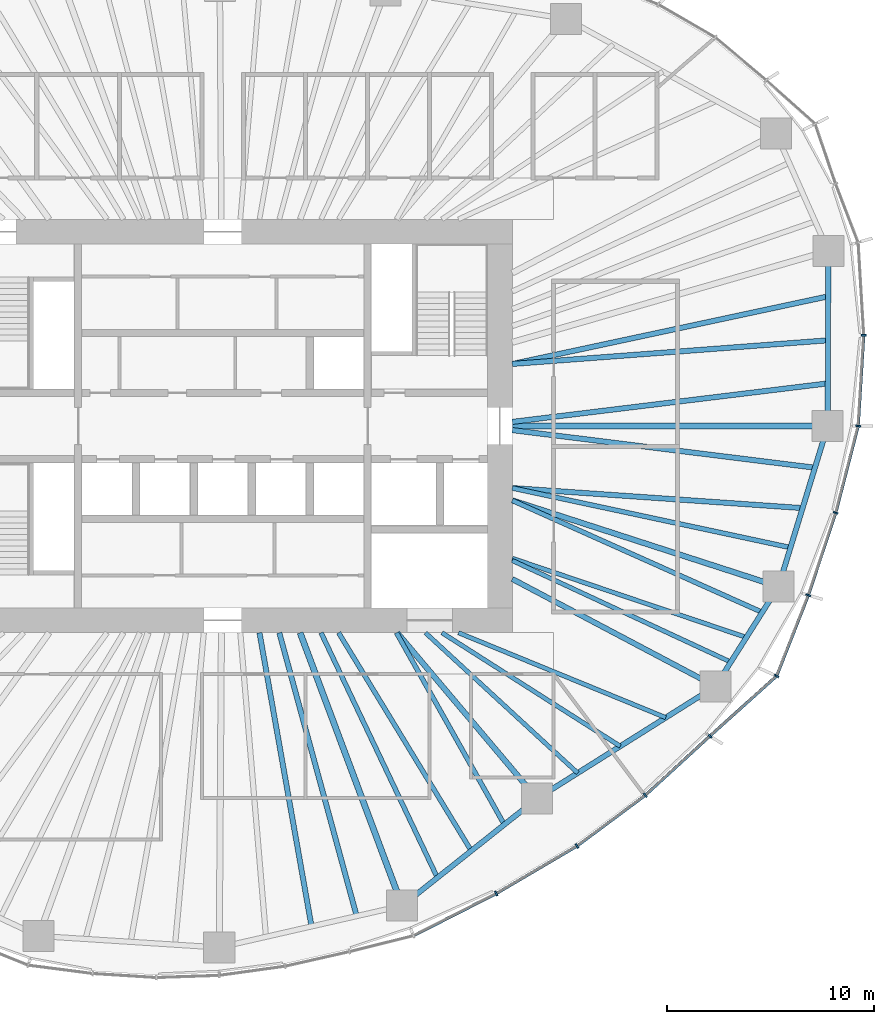
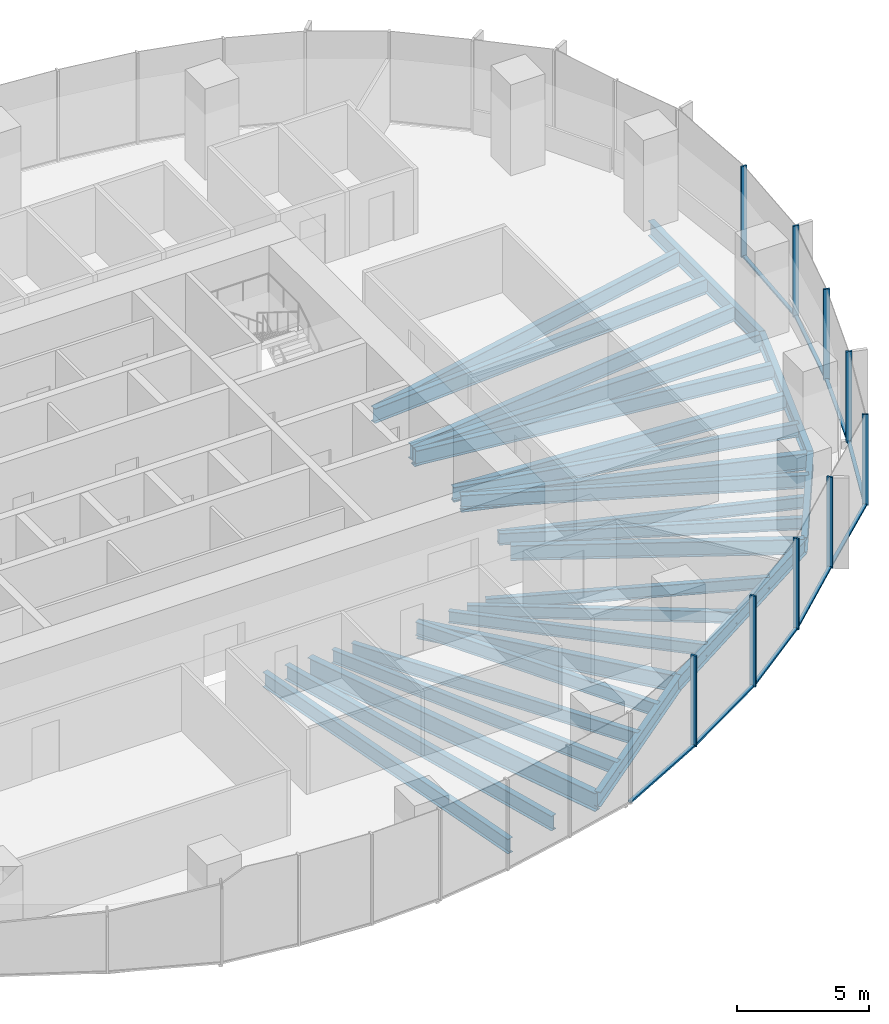
# One storey, part 4 of 18: 27 beams, 18 members, 5 elements without a shape of their own.
"""IFC4 building model written with IfcOpenShell, lengths in metres."""

from ifc_helpers import new_model, si_unit, direction, frame, origin, origin_2d, place, context, subcontext, project, spatial, rectangle, i_section, extrude, material, material_profile, profile_set, type_object, element, aggregate, save


model = new_model("IFC4")

# Units and contexts
model_context = context("Model", 3, precision=1e-05, world=origin(), true_north=direction((0.0, 1.0)))
body_context = subcontext(model_context, "Body", "Model", "MODEL_VIEW")
ifc_project = project(units=[si_unit("LENGTHUNIT", "METRE"), si_unit("AREAUNIT", "SQUARE_METRE"), si_unit("VOLUMEUNIT", "CUBIC_METRE"), si_unit("PLANEANGLEUNIT", "RADIAN"), si_unit("MASSUNIT", "GRAM", prefix="KILO")], contexts=[model_context])

# Site, building, storey
site_placement = place(None, origin())
site = spatial("IfcSite", under=ifc_project, at=site_placement, CompositionType="ELEMENT")
building_placement = place(site_placement, origin())
building = spatial("IfcBuilding", under=site, at=building_placement, Name="Ghaith Harvest Tower", CompositionType="ELEMENT")
storey_placement = place(building_placement, frame((0.0, 0.0, 138.60009765625)))
storey = spatial("IfcBuildingStorey", under=building, at=storey_placement, Name="L29", CompositionType="ELEMENT", Elevation=138.60009765625)

# Curtain wall, members
ifc_material_1 = material(Name="Black anodised aluminium and fritted glass", Category="aluminium")
curtain_wall_type = type_object("IfcCurtainWallType", Name="CW-L CURTAIN WALL", PredefinedType="NOTDEFINED", material=ifc_material_1)
curtain_wall_1_placement = place(storey_placement, origin())
curtain_wall_1 = element("IfcCurtainWall", 1, at=curtain_wall_1_placement, inside=storey, type_object=curtain_wall_type, Name="Curtain wall CW-L bay 01 L29", PredefinedType="NOTDEFINED")
ifc_material_2 = material(Name="Aluminium, black anodised", Category="aluminium")
ifc_material_profile_1 = material_profile(ifc_material_2, rectangle(XDim=0.080078125, YDim=0.239990234375, at=origin_2d()), Name="CW-L MULLION 80x240")
ifc_profile_set_1 = profile_set([ifc_material_profile_1], Name="Aluminium, black anodised")
member_type_1 = type_object("IfcMemberType", Name="CW-L MULLION 80x240", PredefinedType="MULLION", material=ifc_profile_set_1)
member_1_placement = place(storey_placement, frame((30.728759765625, 0.0, 0.0), z_axis=(0.0, 0.0, 1.0), x_axis=(0.155597142981, 0.987820595602, 0.0)))
member_1 = element("IfcMember", 2, at=member_1_placement, type_object=member_type_1, Name="CW-L mullion 1 bay 01 L29", PredefinedType="MULLION", context=body_context, shape_type="SweptSolid", body=[
    extrude(rectangle(XDim=0.080078125, YDim=0.239990234375, at=origin_2d()), origin(), (0.0, 0.0, 1.0), 4.199951171875),
])
member_2_placement = place(storey_placement, frame((30.998779296875, 4.389892578125, 0.0), z_axis=(0.0, 0.0, 1.0), x_axis=(-0.000162467394, 0.999999986802, 0.0)))
member_2 = element("IfcMember", 3, at=member_2_placement, type_object=member_type_1, Name="CW-L mullion 2 bay 01 L29", PredefinedType="MULLION", context=body_context, shape_type="SweptSolid", body=[
    extrude(rectangle(XDim=0.080078125, YDim=0.239990234375, at=origin_2d()), origin(), (0.0, 0.0, 1.0), 4.199951171875),
])

# Curtain wall, member
curtain_wall_2_placement = place(storey_placement, origin())
curtain_wall_2 = element("IfcCurtainWall", 4, at=curtain_wall_2_placement, inside=storey, type_object=curtain_wall_type, Name="Curtain wall CW-L bay 17 L29", PredefinedType="NOTDEFINED")
member_3_placement = place(storey_placement, frame((13.224365234375, -22.614013671875, 0.0), z_axis=(0.0, 0.0, 1.0), x_axis=(0.876898762173, 0.480675109507, 0.0)))
member_3 = element("IfcMember", 5, at=member_3_placement, type_object=member_type_1, Name="CW-L mullion 2 bay 17 L29", PredefinedType="MULLION", context=body_context, shape_type="SweptSolid", body=[
    extrude(rectangle(XDim=0.080078125, YDim=0.239990234375, at=origin_2d()), origin(), (0.0, 0.0, 1.0), 4.199951171875),
])

# Curtain wall, members
curtain_wall_3_placement = place(storey_placement, origin())
curtain_wall_3 = element("IfcCurtainWall", 6, at=curtain_wall_3_placement, inside=storey, type_object=curtain_wall_type, Name="Curtain wall CW-L bay 18 L29", PredefinedType="NOTDEFINED")
member_4_placement = place(storey_placement, frame((17.1318359375, -20.31591796875, 0.0), z_axis=(0.0, 0.0, 1.0), x_axis=(0.834887453241, 0.550420694035, 0.0)))
member_4 = element("IfcMember", 7, at=member_4_placement, type_object=member_type_1, Name="CW-L mullion 1 bay 18 L29", PredefinedType="MULLION", context=body_context, shape_type="SweptSolid", body=[
    extrude(rectangle(XDim=0.080078125, YDim=0.239990234375, at=origin_2d()), origin(), (0.0, 0.0, 1.0), 4.199951171875),
])
member_5_placement = place(storey_placement, frame((20.4296875, -17.86376953125, 0.0), z_axis=(0.0, 0.0, 1.0), x_axis=(0.770306399656, 0.637673937564, 0.0)))
member_5 = element("IfcMember", 8, at=member_5_placement, type_object=member_type_1, Name="CW-L mullion 2 bay 18 L29", PredefinedType="MULLION", context=body_context, shape_type="SweptSolid", body=[
    extrude(rectangle(XDim=0.080078125, YDim=0.239990234375, at=origin_2d()), origin(), (0.0, 0.0, 1.0), 4.199951171875),
])

curtain_wall_4_placement = place(storey_placement, origin())
curtain_wall_4 = element("IfcCurtainWall", 9, at=curtain_wall_4_placement, inside=storey, type_object=curtain_wall_type, Name="Curtain wall CW-L bay 19 L29", PredefinedType="NOTDEFINED")
member_6_placement = place(storey_placement, frame((23.560546875, -14.994140625, 0.0), z_axis=(0.0, 0.0, 1.0), x_axis=(0.740389054945, 0.672178582906, 0.0)))
member_6 = element("IfcMember", 10, at=member_6_placement, type_object=member_type_1, Name="CW-L mullion 1 bay 19 L29", PredefinedType="MULLION", context=body_context, shape_type="SweptSolid", body=[
    extrude(rectangle(XDim=0.080078125, YDim=0.239990234375, at=origin_2d()), origin(), (0.0, 0.0, 1.0), 4.199951171875),
])
member_7_placement = place(storey_placement, frame((26.786376953125, -12.0927734375, 0.0), z_axis=(0.0, 0.0, 1.0), x_axis=(0.572853476908, 0.819657790785, 0.0)))
member_7 = element("IfcMember", 11, at=member_7_placement, type_object=member_type_1, Name="CW-L mullion 2 bay 19 L29", PredefinedType="MULLION", context=body_context, shape_type="SweptSolid", body=[
    extrude(rectangle(XDim=0.080078125, YDim=0.239990234375, at=origin_2d()), origin(), (0.0, 0.0, 1.0), 4.199951171875),
])

curtain_wall_5_placement = place(storey_placement, origin())
curtain_wall_5 = element("IfcCurtainWall", 12, at=curtain_wall_5_placement, inside=storey, type_object=curtain_wall_type, Name="Curtain wall CW-L bay 20 L29", PredefinedType="NOTDEFINED")
member_8_placement = place(storey_placement, frame((28.319580078125, -8.184814453125, 0.0), z_axis=(0.0, 0.0, 1.0), x_axis=(0.34057402484, 0.94021770543, 0.0)))
member_8 = element("IfcMember", 13, at=member_8_placement, type_object=member_type_1, Name="CW-L mullion 1 bay 20 L29", PredefinedType="MULLION", context=body_context, shape_type="SweptSolid", body=[
    extrude(rectangle(XDim=0.080078125, YDim=0.239990234375, at=origin_2d()), origin(), (0.0, 0.0, 1.0), 4.199951171875),
])
member_9_placement = place(storey_placement, frame((29.64599609375, -4.1982421875, 0.0), z_axis=(0.0, 0.0, 1.0), x_axis=(0.282375140161, 0.959304060358, 0.0)))
member_9 = element("IfcMember", 14, at=member_9_placement, type_object=member_type_1, Name="CW-L mullion 2 bay 20 L29", PredefinedType="MULLION", context=body_context, shape_type="SweptSolid", body=[
    extrude(rectangle(XDim=0.080078125, YDim=0.239990234375, at=origin_2d()), origin(), (0.0, 0.0, 1.0), 4.199951171875),
])

# Member
ifc_material_3 = material(Name="Aluminium, black anodised", Category="aluminium")
ifc_material_profile_2 = material_profile(ifc_material_3, rectangle(XDim=0.14990234375, YDim=0.080078125, at=origin_2d()), Name="CW-L TRANSOM 150x80")
ifc_profile_set_2 = profile_set([ifc_material_profile_2], Name="Aluminium, black anodised")
member_type_2 = type_object("IfcMemberType", Name="CW-L TRANSOM 150x80", PredefinedType="USERDEFINED", material=ifc_profile_set_2)
member_10_placement = place(storey_placement, frame((30.731201171875, 0.0400390625, 0.039794921875), z_axis=(0.061403204251, 0.99811304295, 0.0), x_axis=(-0.99811304295, 0.061403204251, 0.0)))
member_10 = element("IfcMember", 15, at=member_10_placement, type_object=member_type_2, Name="CW-L transom 1 bay 01 L29", ObjectType="TRANSOM", PredefinedType="USERDEFINED", context=body_context, shape_type="SweptSolid", body=[
    extrude(rectangle(XDim=0.14990234375, YDim=0.080078125, at=origin_2d()), origin(), (0.0, 0.0, 1.0), 4.31787109375),
])

aggregate(curtain_wall_1, [member_1, member_10, member_2])

member_11_placement = place(storey_placement, frame((9.25244140625, -24.636474609375, 0.039794921875), z_axis=(0.891120044719, 0.453767634258, 0.0), x_axis=(-0.453767634258, 0.891120044719, 0.0)))
member_11 = element("IfcMember", 16, at=member_11_placement, type_object=member_type_2, Name="CW-L transom 1 bay 17 L29", ObjectType="TRANSOM", PredefinedType="USERDEFINED", context=body_context, shape_type="SweptSolid", body=[
    extrude(rectangle(XDim=0.14990234375, YDim=0.080078125, at=origin_2d()), origin(), (0.0, 0.0, 1.0), 4.417236328125),
])

member_12_placement = place(storey_placement, frame((13.259033203125, -22.59375, 0.039794921875), z_axis=(0.86196381091, 0.506969810424, 0.0), x_axis=(-0.506969810424, 0.86196381091, 0.0)))
member_12 = element("IfcMember", 17, at=member_12_placement, type_object=member_type_2, Name="CW-L transom 2 bay 17 L29", ObjectType="TRANSOM", PredefinedType="USERDEFINED", context=body_context, shape_type="SweptSolid", body=[
    extrude(rectangle(XDim=0.14990234375, YDim=0.080078125, at=origin_2d()), origin(), (0.0, 0.0, 1.0), 4.453125),
])

aggregate(curtain_wall_2, [member_11, member_3, member_12])

member_13_placement = place(storey_placement, frame((17.1640625, -20.2919921875, 0.039794921875), z_axis=(0.802465316609, 0.59669876457, 0.0), x_axis=(-0.59669876457, 0.802465316609, 0.0)))
member_13 = element("IfcMember", 18, at=member_13_placement, type_object=member_type_2, Name="CW-L transom 1 bay 18 L29", ObjectType="TRANSOM", PredefinedType="USERDEFINED", context=body_context, shape_type="SweptSolid", body=[
    extrude(rectangle(XDim=0.14990234375, YDim=0.080078125, at=origin_2d()), origin(), (0.0, 0.0, 1.0), 4.029296875),
])

member_14_placement = place(storey_placement, frame((20.459228515625, -17.836669921875, 0.039794921875), z_axis=(0.737197916434, 0.675676869521, 0.0), x_axis=(-0.675676869521, 0.737197916434, 0.0)))
member_14 = element("IfcMember", 19, at=member_14_placement, type_object=member_type_2, Name="CW-L transom 2 bay 18 L29", ObjectType="TRANSOM", PredefinedType="USERDEFINED", context=body_context, shape_type="SweptSolid", body=[
    extrude(rectangle(XDim=0.14990234375, YDim=0.080078125, at=origin_2d()), origin(), (0.0, 0.0, 1.0), 4.166748046875),
])

aggregate(curtain_wall_3, [member_4, member_13, member_5, member_14])

member_15_placement = place(storey_placement, frame((23.59033203125, -14.967529296875, 0.039794921875), z_axis=(0.74346800111, 0.668771509056, 0.0), x_axis=(-0.668771509056, 0.74346800111, 0.0)))
member_15 = element("IfcMember", 20, at=member_15_placement, type_object=member_type_2, Name="CW-L transom 1 bay 19 L29", ObjectType="TRANSOM", PredefinedType="USERDEFINED", context=body_context, shape_type="SweptSolid", body=[
    extrude(rectangle(XDim=0.14990234375, YDim=0.080078125, at=origin_2d()), origin(), (0.0, 0.0, 1.0), 4.2587890625),
])

member_16_placement = place(storey_placement, frame((26.801025390625, -12.055419921875, 0.039794921875), z_axis=(0.365228588652, 0.930917868575, 0.0), x_axis=(-0.930917868575, 0.365228588652, 0.0)))
member_16 = element("IfcMember", 21, at=member_16_placement, type_object=member_type_2, Name="CW-L transom 2 bay 19 L29", ObjectType="TRANSOM", PredefinedType="USERDEFINED", context=body_context, shape_type="SweptSolid", body=[
    extrude(rectangle(XDim=0.14990234375, YDim=0.080078125, at=origin_2d()), origin(), (0.0, 0.0, 1.0), 4.11767578125),
])

aggregate(curtain_wall_4, [member_6, member_15, member_7, member_16])

member_17_placement = place(storey_placement, frame((28.33203125, -8.14697265625, 0.039794921875), z_axis=(0.315712391444, 0.948854934059, 0.0), x_axis=(-0.948854934059, 0.315712391444, 0.0)))
member_17 = element("IfcMember", 22, at=member_17_placement, type_object=member_type_2, Name="CW-L transom 1 bay 20 L29", ObjectType="TRANSOM", PredefinedType="USERDEFINED", context=body_context, shape_type="SweptSolid", body=[
    extrude(rectangle(XDim=0.14990234375, YDim=0.080078125, at=origin_2d()), origin(), (0.0, 0.0, 1.0), 4.12158203125),
])

member_18_placement = place(storey_placement, frame((29.656005859375, -4.159423828125, 0.039794921875), z_axis=(0.249737470584, 0.968313583395, 0.0), x_axis=(-0.968313583395, 0.249737470584, 0.0)))
member_18 = element("IfcMember", 23, at=member_18_placement, type_object=member_type_2, Name="CW-L transom 2 bay 20 L29", ObjectType="TRANSOM", PredefinedType="USERDEFINED", context=body_context, shape_type="SweptSolid", body=[
    extrude(rectangle(XDim=0.14990234375, YDim=0.080078125, at=origin_2d()), origin(), (0.0, 0.0, 1.0), 4.25537109375),
])

aggregate(curtain_wall_5, [member_8, member_17, member_9, member_18])

# Beams
ifc_material_4 = material(Name="Steel ASTM A992 Grade 50", Category="steel")
ifc_material_profile_3 = material_profile(ifc_material_4, i_section(OverallWidth=0.25390625, OverallDepth=0.68408203125, WebThickness=0.012451171875, FlangeThickness=0.018798828125, at=origin_2d()), Name="W690X140")
ifc_profile_set_3 = profile_set([ifc_material_profile_3], Name="Steel ASTM A992 Grade 50")
beam_type_1 = type_object("IfcBeamType", Name="E690-140 W690X140", PredefinedType="SPANDREL", material=ifc_profile_set_3)
beam_1_placement = place(storey_placement, frame((29.259033203125, 0.0, -0.51220703125), z_axis=(0.003172847394, 0.999994966507, 0.0), x_axis=(-0.999994966507, 0.003172847394, 0.0)))
element("IfcBeam", 24, at=beam_1_placement, inside=storey, type_object=beam_type_1, Name="Edge beam E01 L29", PredefinedType="SPANDREL", context=body_context, shape_type="SweptSolid", body=[
    extrude(i_section(OverallWidth=0.25390625, OverallDepth=0.68408203125, WebThickness=0.012451171875, FlangeThickness=0.018798828125, at=origin_2d()), origin(), (0.0, 0.0, 1.0), 8.464111328125),
])
beam_2_placement = place(storey_placement, frame((8.674072265625, -23.202880859375, -0.51220703125), z_axis=(0.783159540917, 0.621820821033, 0.0), x_axis=(-0.621820821033, 0.783159540917, 0.0)))
element("IfcBeam", 25, at=beam_2_placement, inside=storey, type_object=beam_type_1, Name="Edge beam E17 L29", PredefinedType="SPANDREL", context=body_context, shape_type="SweptSolid", body=[
    extrude(i_section(OverallWidth=0.25390625, OverallDepth=0.68408203125, WebThickness=0.012451171875, FlangeThickness=0.018798828125, at=origin_2d()), origin(), (0.0, 0.0, 1.0), 8.330322265625),
])
beam_3_placement = place(storey_placement, frame((15.197998046875, -18.02294921875, -0.51220703125), z_axis=(0.846385185363, 0.532571232793, 0.0), x_axis=(-0.532571232793, 0.846385185363, 0.0)))
element("IfcBeam", 26, at=beam_3_placement, inside=storey, type_object=beam_type_1, Name="Edge beam E18 L29", PredefinedType="SPANDREL", context=body_context, shape_type="SweptSolid", body=[
    extrude(i_section(OverallWidth=0.25390625, OverallDepth=0.68408203125, WebThickness=0.012451171875, FlangeThickness=0.018798828125, at=origin_2d()), origin(), (0.0, 0.0, 1.0), 10.19384765625),
])
beam_4_placement = place(storey_placement, frame((23.825927734375, -12.593994140625, -0.51220703125), z_axis=(0.534499624093, 0.845168712059, 0.0), x_axis=(-0.845168712059, 0.534499624093, 0.0)))
element("IfcBeam", 27, at=beam_4_placement, inside=storey, type_object=beam_type_1, Name="Edge beam E19 L29", PredefinedType="SPANDREL", context=body_context, shape_type="SweptSolid", body=[
    extrude(i_section(OverallWidth=0.25390625, OverallDepth=0.68408203125, WebThickness=0.012451171875, FlangeThickness=0.018798828125, at=origin_2d()), origin(), (0.0, 0.0, 1.0), 5.7099609375),
])
beam_5_placement = place(storey_placement, frame((26.8779296875, -7.76806640625, -0.51220703125), z_axis=(0.293065809375, 0.956092271371, 0.0), x_axis=(-0.956092271371, 0.293065809375, 0.0)))
element("IfcBeam", 28, at=beam_5_placement, inside=storey, type_object=beam_type_1, Name="Edge beam E20 L29", PredefinedType="SPANDREL", context=body_context, shape_type="SweptSolid", body=[
    extrude(i_section(OverallWidth=0.25390625, OverallDepth=0.68408203125, WebThickness=0.012451171875, FlangeThickness=0.018798828125, at=origin_2d()), origin(), (0.0, 0.0, 1.0), 8.124755859375),
])
ifc_material_5 = material(Name="Steel ASTM A992 Grade 50", Category="steel")
ifc_material_profile_4 = material_profile(ifc_material_5, i_section(OverallWidth=0.256103515625, OverallDepth=0.693115234375, WebThickness=0.014404296875, FlangeThickness=0.023681640625, at=origin_2d()), Name="W690X170")
ifc_profile_set_4 = profile_set([ifc_material_profile_4], Name="Steel ASTM A992 Grade 50")
beam_type_2 = type_object("IfcBeamType", Name="G690-170 W690X170", PredefinedType="BEAM", material=ifc_profile_set_4)
beam_6_placement = place(storey_placement, frame((14.0, -7.39990234375, -0.5166015625), z_axis=(0.884080549082, -0.467334551189, 0.0), x_axis=(0.467334551189, 0.884080549082, 0.0)))
element("IfcBeam", 29, at=beam_6_placement, inside=storey, type_object=beam_type_2, Name="Radial girder G19 L29", PredefinedType="BEAM", context=body_context, shape_type="SweptSolid", body=[
    extrude(i_section(OverallWidth=0.256103515625, OverallDepth=0.693115234375, WebThickness=0.014404296875, FlangeThickness=0.023681640625, at=origin_2d()), origin(), (0.0, 0.0, 1.0), 11.1142578125),
])
ifc_material_6 = material(Name="Steel ASTM A992 Grade 50", Category="steel")
ifc_material_profile_5 = material_profile(ifc_material_6, i_section(OverallWidth=0.26806640625, OverallDepth=0.77001953125, WebThickness=0.015625, FlangeThickness=0.025390625, at=origin_2d()), Name="W760X196")
ifc_profile_set_5 = profile_set([ifc_material_profile_5], Name="Steel ASTM A992 Grade 50")
beam_type_3 = type_object("IfcBeamType", Name="G760-196 W760X196", PredefinedType="BEAM", material=ifc_profile_set_5)
beam_7_placement = place(storey_placement, frame((8.4326171875, -10.0, -0.55517578125), z_axis=(0.644649240595, -0.764478486682, 0.0), x_axis=(0.764478486682, 0.644649240595, 0.0)))
element("IfcBeam", 30, at=beam_7_placement, inside=storey, type_object=beam_type_3, Name="Radial girder G18 L29", PredefinedType="BEAM", context=body_context, shape_type="SweptSolid", body=[
    extrude(i_section(OverallWidth=0.26806640625, OverallDepth=0.77001953125, WebThickness=0.015625, FlangeThickness=0.025390625, at=origin_2d()), origin(), (0.0, 0.0, 1.0), 10.49462890625),
])
beam_8_placement = place(storey_placement, frame((14.0, -3.60009765625, -0.55517578125), z_axis=(0.951410331565, -0.307925934262, 0.0), x_axis=(0.307925934262, 0.951410331565, 0.0)))
element("IfcBeam", 31, at=beam_8_placement, inside=storey, type_object=beam_type_3, Name="Radial girder G20 L29", PredefinedType="BEAM", context=body_context, shape_type="SweptSolid", body=[
    extrude(i_section(OverallWidth=0.26806640625, OverallDepth=0.77001953125, WebThickness=0.015625, FlangeThickness=0.025390625, at=origin_2d()), origin(), (0.0, 0.0, 1.0), 13.53564453125),
])
ifc_material_7 = material(Name="Steel ASTM A992 Grade 50", Category="steel")
ifc_material_profile_6 = material_profile(ifc_material_7, i_section(OverallWidth=0.2939453125, OverallDepth=0.85107421875, WebThickness=0.01611328125, FlangeThickness=0.02685546875, at=origin_2d()), Name="W840X226")
ifc_profile_set_6 = profile_set([ifc_material_profile_6], Name="Steel ASTM A992 Grade 50")
beam_type_4 = type_object("IfcBeamType", Name="G840-226 W840X226", PredefinedType="BEAM", material=ifc_profile_set_6)
beam_9_placement = place(storey_placement, frame((14.0, 0.0, -0.595703125), z_axis=(1.0, 0.0, 0.0), x_axis=(0.0, 1.0, 0.0)))
element("IfcBeam", 32, at=beam_9_placement, inside=storey, type_object=beam_type_4, Name="Radial girder G01 L29", PredefinedType="BEAM", context=body_context, shape_type="SweptSolid", body=[
    extrude(i_section(OverallWidth=0.2939453125, OverallDepth=0.85107421875, WebThickness=0.01611328125, FlangeThickness=0.02685546875, at=origin_2d()), origin(), (0.0, 0.0, 1.0), 15.259033203125),
])
beam_10_placement = place(storey_placement, frame((3.73828125, -10.0, -0.595703125), z_axis=(0.350172283717, -0.936685310932, 0.0), x_axis=(0.936685310932, 0.350172283717, 0.0)))
element("IfcBeam", 33, at=beam_10_placement, inside=storey, type_object=beam_type_4, Name="Radial girder G17 L29", PredefinedType="BEAM", context=body_context, shape_type="SweptSolid", body=[
    extrude(i_section(OverallWidth=0.2939453125, OverallDepth=0.85107421875, WebThickness=0.01611328125, FlangeThickness=0.02685546875, at=origin_2d()), origin(), (0.0, 0.0, 1.0), 14.09521484375),
])
ifc_material_8 = material(Name="Steel ASTM A992 Grade 50", Category="steel")
ifc_material_profile_7 = material_profile(ifc_material_8, i_section(OverallWidth=0.2109375, OverallDepth=0.5390625, WebThickness=0.01171875, FlangeThickness=0.018798828125, at=origin_2d()), Name="W530X109")
ifc_profile_set_7 = profile_set([ifc_material_profile_7], Name="Steel ASTM A992 Grade 50")
beam_type_5 = type_object("IfcBeamType", Name="J530-109 W530X109", PredefinedType="JOIST", material=ifc_profile_set_7)
beam_11_placement = place(storey_placement, frame((9.800048828125, -10.0, -0.439697265625), z_axis=(0.735441512033, -0.677588210035, 0.0), x_axis=(0.677588210035, 0.735441512033, 0.0)))
element("IfcBeam", 34, at=beam_11_placement, inside=storey, type_object=beam_type_5, Name="Joist J18.1 L29", PredefinedType="JOIST", context=body_context, shape_type="SweptSolid", body=[
    extrude(i_section(OverallWidth=0.2109375, OverallDepth=0.5390625, WebThickness=0.01171875, FlangeThickness=0.018798828125, at=origin_2d()), origin(), (0.0, 0.0, 1.0), 10.01416015625),
])
beam_12_placement = place(storey_placement, frame((10.60009765625, -10.0, -0.439697265625), z_axis=(0.843584777848, -0.536996017288, 0.0), x_axis=(0.536996017288, 0.843584777848, 0.0)))
element("IfcBeam", 35, at=beam_12_placement, inside=storey, type_object=beam_type_5, Name="Joist J18.2 L29", PredefinedType="JOIST", context=body_context, shape_type="SweptSolid", body=[
    extrude(i_section(OverallWidth=0.2109375, OverallDepth=0.5390625, WebThickness=0.01171875, FlangeThickness=0.018798828125, at=origin_2d()), origin(), (0.0, 0.0, 1.0), 10.22314453125),
])
beam_13_placement = place(storey_placement, frame((11.39990234375, -10.0, -0.439697265625), z_axis=(0.925406878607, -0.378975077053, 0.0), x_axis=(0.378975077053, 0.925406878607, 0.0)))
element("IfcBeam", 36, at=beam_13_placement, inside=storey, type_object=beam_type_5, Name="Joist J18.3 L29", PredefinedType="JOIST", context=body_context, shape_type="SweptSolid", body=[
    extrude(i_section(OverallWidth=0.2109375, OverallDepth=0.5390625, WebThickness=0.01171875, FlangeThickness=0.018798828125, at=origin_2d()), origin(), (0.0, 0.0, 1.0), 10.83251953125),
])
beam_14_placement = place(storey_placement, frame((14.0, -6.506103515625, -0.439697265625), z_axis=(0.906863188232, -0.421425150922, 0.0), x_axis=(0.421425150922, 0.906863188232, 0.0)))
element("IfcBeam", 37, at=beam_14_placement, inside=storey, type_object=beam_type_5, Name="Joist J19.1 L29", PredefinedType="JOIST", context=body_context, shape_type="SweptSolid", body=[
    extrude(i_section(OverallWidth=0.2109375, OverallDepth=0.5390625, WebThickness=0.01171875, FlangeThickness=0.018798828125, at=origin_2d()), origin(), (0.0, 0.0, 1.0), 11.6552734375),
])
beam_15_placement = place(storey_placement, frame((14.0, -6.39990234375, -0.439697265625), z_axis=(0.947372072272, -0.320134591508, 0.0), x_axis=(0.320134591508, 0.947372072272, 0.0)))
element("IfcBeam", 38, at=beam_15_placement, inside=storey, type_object=beam_type_5, Name="Joist J19.2 L29", PredefinedType="JOIST", context=body_context, shape_type="SweptSolid", body=[
    extrude(i_section(OverallWidth=0.2109375, OverallDepth=0.5390625, WebThickness=0.01171875, FlangeThickness=0.018798828125, at=origin_2d()), origin(), (0.0, 0.0, 1.0), 11.95263671875),
])
ifc_material_9 = material(Name="Steel ASTM A992 Grade 50", Category="steel")
ifc_material_profile_8 = material_profile(ifc_material_9, i_section(OverallWidth=0.22900390625, OverallDepth=0.612060546875, WebThickness=0.011962890625, FlangeThickness=0.01953125, at=origin_2d()), Name="W610X125")
ifc_profile_set_8 = profile_set([ifc_material_profile_8], Name="Steel ASTM A992 Grade 50")
beam_type_6 = type_object("IfcBeamType", Name="J610-125 W610X125", PredefinedType="JOIST", material=ifc_profile_set_8)
beam_16_placement = place(storey_placement, frame((4.75, -10.0, -0.47607421875), z_axis=(0.429062888327, -0.903274619294, 0.0), x_axis=(0.903274619294, 0.429062888327, 0.0)))
element("IfcBeam", 39, at=beam_16_placement, inside=storey, type_object=beam_type_6, Name="Joist J17.1 L29", PredefinedType="JOIST", context=body_context, shape_type="SweptSolid", body=[
    extrude(i_section(OverallWidth=0.22900390625, OverallDepth=0.612060546875, WebThickness=0.011962890625, FlangeThickness=0.01953125, at=origin_2d()), origin(), (0.0, 0.0, 1.0), 13.118408203125),
])
beam_17_placement = place(storey_placement, frame((5.60009765625, -10.0, -0.47607421875), z_axis=(0.51969412955, -0.854352393167, 0.0), x_axis=(0.854352393167, 0.51969412955, 0.0)))
element("IfcBeam", 40, at=beam_17_placement, inside=storey, type_object=beam_type_6, Name="Joist J17.2 L29", PredefinedType="JOIST", context=body_context, shape_type="SweptSolid", body=[
    extrude(i_section(OverallWidth=0.22900390625, OverallDepth=0.612060546875, WebThickness=0.011962890625, FlangeThickness=0.01953125, at=origin_2d()), origin(), (0.0, 0.0, 1.0), 12.34716796875),
])
beam_18_placement = place(storey_placement, frame((8.39990234375, -10.0, -0.47607421875), z_axis=(0.489936713337, -0.871758003648, 0.0), x_axis=(0.871758003648, 0.489936713337, 0.0)))
element("IfcBeam", 41, at=beam_18_placement, inside=storey, type_object=beam_type_6, Name="Joist J17.3 L29", PredefinedType="JOIST", context=body_context, shape_type="SweptSolid", body=[
    extrude(i_section(OverallWidth=0.22900390625, OverallDepth=0.612060546875, WebThickness=0.011962890625, FlangeThickness=0.01953125, at=origin_2d()), origin(), (0.0, 0.0, 1.0), 10.64501953125),
])
beam_19_placement = place(storey_placement, frame((14.0, -3.60009765625, -0.47607421875), z_axis=(0.912738327266, -0.408544668231, 0.0), x_axis=(0.408544668231, 0.912738327266, 0.0)))
element("IfcBeam", 42, at=beam_19_placement, inside=storey, type_object=beam_type_6, Name="Joist J19.3 L29", PredefinedType="JOIST", context=body_context, shape_type="SweptSolid", body=[
    extrude(i_section(OverallWidth=0.22900390625, OverallDepth=0.612060546875, WebThickness=0.011962890625, FlangeThickness=0.01953125, at=origin_2d()), origin(), (0.0, 0.0, 1.0), 13.247314453125),
])
beam_20_placement = place(storey_placement, frame((14.0, -3.0, -0.47607421875), z_axis=(0.97783433664, -0.209380061343, 0.0), x_axis=(0.209380061343, 0.97783433664, 0.0)))
element("IfcBeam", 43, at=beam_20_placement, inside=storey, type_object=beam_type_6, Name="Joist J20.1 L29", PredefinedType="JOIST", context=body_context, shape_type="SweptSolid", body=[
    extrude(i_section(OverallWidth=0.22900390625, OverallDepth=0.612060546875, WebThickness=0.011962890625, FlangeThickness=0.01953125, at=origin_2d()), origin(), (0.0, 0.0, 1.0), 13.76123046875),
])
ifc_material_10 = material(Name="Steel ASTM A992 Grade 50", Category="steel")
ifc_material_profile_9 = material_profile(ifc_material_10, i_section(OverallWidth=0.25390625, OverallDepth=0.68408203125, WebThickness=0.012451171875, FlangeThickness=0.018798828125, at=origin_2d()), Name="W690X140")
ifc_profile_set_9 = profile_set([ifc_material_profile_9], Name="Steel ASTM A992 Grade 50")
beam_type_7 = type_object("IfcBeamType", Name="J690-140 W690X140", PredefinedType="JOIST", material=ifc_profile_set_9)
beam_21_placement = place(storey_placement, frame((14.0, 0.199951171875, -0.51220703125), z_axis=(0.992642759881, 0.121079937462, 0.0), x_axis=(-0.121079937462, 0.992642759881, 0.0)))
element("IfcBeam", 44, at=beam_21_placement, inside=storey, type_object=beam_type_7, Name="Joist J01.1 L29", PredefinedType="JOIST", context=body_context, shape_type="SweptSolid", body=[
    extrude(i_section(OverallWidth=0.25390625, OverallDepth=0.68408203125, WebThickness=0.012451171875, FlangeThickness=0.018798828125, at=origin_2d()), origin(), (0.0, 0.0, 1.0), 15.378662109375),
])
beam_22_placement = place(storey_placement, frame((14.0, 3.0, -0.51220703125), z_axis=(0.997200052902, 0.074780040735, 0.0), x_axis=(-0.074780040735, 0.997200052902, 0.0)))
element("IfcBeam", 45, at=beam_22_placement, inside=storey, type_object=beam_type_7, Name="Joist J01.2 L29", PredefinedType="JOIST", context=body_context, shape_type="SweptSolid", body=[
    extrude(i_section(OverallWidth=0.25390625, OverallDepth=0.68408203125, WebThickness=0.012451171875, FlangeThickness=0.018798828125, at=origin_2d()), origin(), (0.0, 0.0, 1.0), 15.315185546875),
])
beam_23_placement = place(storey_placement, frame((14.0, 3.0, -0.51220703125), z_axis=(0.977833271545, 0.209385035425, 0.0), x_axis=(-0.209385035425, 0.977833271545, 0.0)))
element("IfcBeam", 46, at=beam_23_placement, inside=storey, type_object=beam_type_7, Name="Joist J01.3 L29", PredefinedType="JOIST", context=body_context, shape_type="SweptSolid", body=[
    extrude(i_section(OverallWidth=0.25390625, OverallDepth=0.68408203125, WebThickness=0.012451171875, FlangeThickness=0.018798828125, at=origin_2d()), origin(), (0.0, 0.0, 1.0), 15.62548828125),
])
beam_24_placement = place(storey_placement, frame((1.772705078125, -10.0, -0.51220703125), z_axis=(0.174552818486, -0.98464781194, 0.0), x_axis=(0.98464781194, 0.174552818486, 0.0)))
element("IfcBeam", 47, at=beam_24_placement, inside=storey, type_object=beam_type_7, Name="Joist J16.2 L29", PredefinedType="JOIST", context=body_context, shape_type="SweptSolid", body=[
    extrude(i_section(OverallWidth=0.25390625, OverallDepth=0.68408203125, WebThickness=0.012451171875, FlangeThickness=0.018798828125, at=origin_2d()), origin(), (0.0, 0.0, 1.0), 14.42578125),
])
beam_25_placement = place(storey_placement, frame((2.73095703125, -10.0, -0.51220703125), z_axis=(0.263463446032, -0.964669379946, 0.0), x_axis=(0.964669379946, 0.263463446032, 0.0)))
element("IfcBeam", 48, at=beam_25_placement, inside=storey, type_object=beam_type_7, Name="Joist J16.3 L29", PredefinedType="JOIST", context=body_context, shape_type="SweptSolid", body=[
    extrude(i_section(OverallWidth=0.25390625, OverallDepth=0.68408203125, WebThickness=0.012451171875, FlangeThickness=0.018798828125, at=origin_2d()), origin(), (0.0, 0.0, 1.0), 14.20751953125),
])
beam_26_placement = place(storey_placement, frame((14.0, -3.0, -0.51220703125), z_axis=(0.997616678907, -0.068999724397, 0.0), x_axis=(0.068999724397, 0.997616678907, 0.0)))
element("IfcBeam", 49, at=beam_26_placement, inside=storey, type_object=beam_type_7, Name="Joist J20.2 L29", PredefinedType="JOIST", context=body_context, shape_type="SweptSolid", body=[
    extrude(i_section(OverallWidth=0.25390625, OverallDepth=0.68408203125, WebThickness=0.012451171875, FlangeThickness=0.018798828125, at=origin_2d()), origin(), (0.0, 0.0, 1.0), 14.0751953125),
])
beam_27_placement = place(storey_placement, frame((14.0, -0.199951171875, -0.51220703125), z_axis=(0.992379127816, -0.123222021874, 0.0), x_axis=(0.123222021874, 0.992379127816, 0.0)))
element("IfcBeam", 50, at=beam_27_placement, inside=storey, type_object=beam_type_7, Name="Joist J20.3 L29", PredefinedType="JOIST", context=body_context, shape_type="SweptSolid", body=[
    extrude(i_section(OverallWidth=0.25390625, OverallDepth=0.68408203125, WebThickness=0.012451171875, FlangeThickness=0.018798828125, at=origin_2d()), origin(), (0.0, 0.0, 1.0), 14.7529296875),
])

save(model, "model.ifc")
